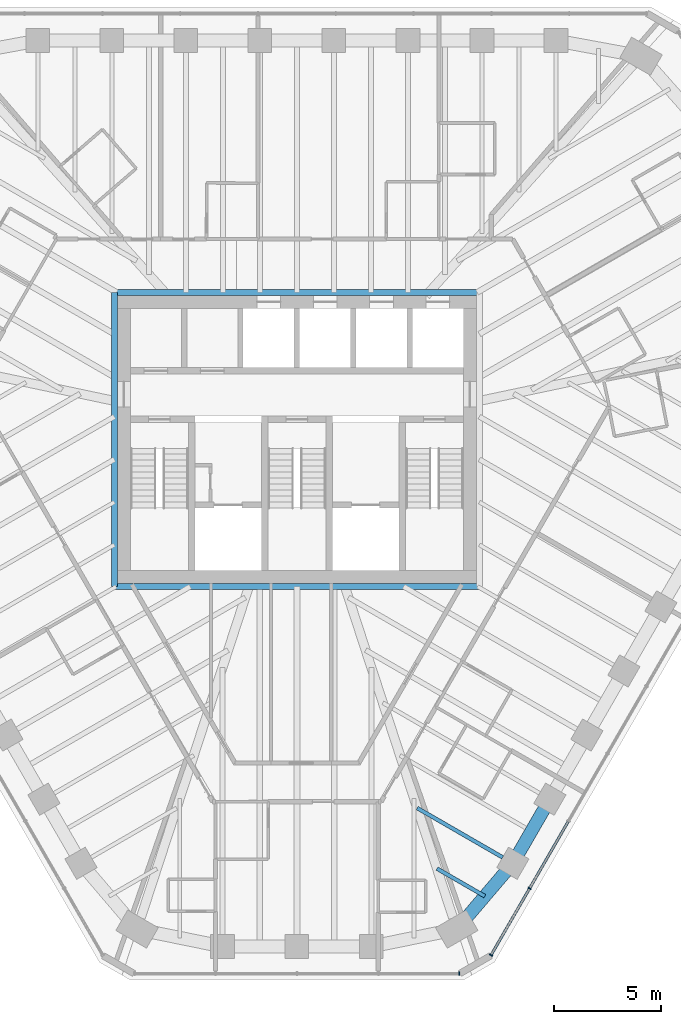
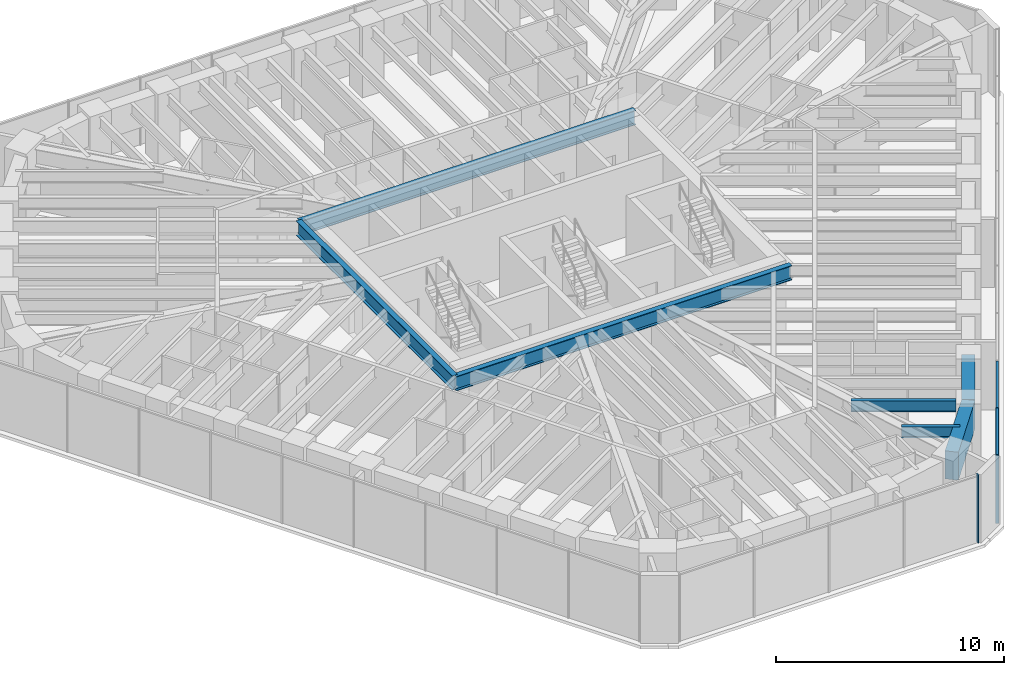
# One storey, part 4 of 14: 7 beams, 5 members, 2 elements without a shape of their own.
"""IFC4 building model written with IfcOpenShell, lengths in metres."""

import ifcopenshell
import ifcopenshell.guid

model = None  # the IFC model being written
_history = None  # IfcOwnerHistory: only IFC2X3 demands one
_inside = {}  # id of a spatial element -> (the spatial element, [elements in it])
_under = {}  # id of a project, library or spatial element -> (it, [spatial elements below it])
_declared = {}  # id of a project -> (the project, [libraries it declares])
_typed = {}  # id of a type object -> (the type object, [elements of that type])
_made_of = {}  # id of a material, layer set ... -> (it, [elements and type objects made of it])


def new_model(schema):
    """Start an empty IFC model of exactly this schema.

    Asked for "IFC4X3", IfcOpenShell would pick the latest addendum, in which some entities
    have other attributes; the version numbers below select the first issue.
    IFC2X3 requires an IfcOwnerHistory on every rooted entity: one is made here for all.
    """
    global model, _history
    if schema == "IFC4X3":
        model = ifcopenshell.file(schema_version=(4, 3, 0, 0))
    else:
        model = ifcopenshell.file(schema=schema)
    _inside.clear()
    _under.clear()
    _declared.clear()
    _typed.clear()
    _made_of.clear()
    _history = None
    if model.schema == "IFC2X3":
        org = make("IfcOrganization", Name="unknown")
        user = make(
            "IfcPersonAndOrganization",
            ThePerson=make("IfcPerson", FamilyName="unknown"),
            TheOrganization=org,
        )
        app = make(
            "IfcApplication",
            ApplicationDeveloper=org,
            Version="unknown",
            ApplicationFullName="unknown",
            ApplicationIdentifier="unknown",
        )
        _history = make(
            "IfcOwnerHistory",
            OwningUser=user,
            OwningApplication=app,
            ChangeAction="ADDED",
            CreationDate=0,
        )
    return model


def make(cls, **values):
    """One entity of the class cls with the attributes given. An attribute that is None is left unset."""
    return model.create_entity(
        cls, **{name: value for name, value in values.items() if value is not None}
    )


def rooted(cls, **values):
    """An entity with a GlobalId (a new one), such as an element, a storey or a relation."""
    return make(cls, GlobalId=ifcopenshell.guid.new(), OwnerHistory=_history, **values)


def si_unit(unit_type, name, prefix=None):
    """IfcSIUnit, for example si_unit("LENGTHUNIT", "METRE", prefix="MILLI")."""
    return make("IfcSIUnit", UnitType=unit_type, Prefix=prefix, Name=name)


def assignment(units):
    """IfcUnitAssignment: the units of a project."""
    return None if units is None else make("IfcUnitAssignment", Units=units)


def point(xyz):
    """IfcCartesianPoint."""
    return None if xyz is None else make("IfcCartesianPoint", Coordinates=xyz)


def direction(xyz):
    """IfcDirection."""
    return None if xyz is None else make("IfcDirection", DirectionRatios=xyz)


def frame(location, z_axis=None, x_axis=None):
    """IfcAxis2Placement3D, a coordinate frame: its origin and axes. An axis left out is left unset."""
    return make(
        "IfcAxis2Placement3D",
        Location=point(location),
        Axis=direction(z_axis),
        RefDirection=direction(x_axis),
    )


def frame_2d(location, x_axis=None):
    """IfcAxis2Placement2D, a coordinate frame in the plane: its origin and x axis."""
    return make(
        "IfcAxis2Placement2D", Location=point(location), RefDirection=direction(x_axis)
    )


def origin():
    """The frame at (0, 0, 0) with its axes left unset."""
    return frame((0.0, 0.0, 0.0))


def origin_2d():
    """The frame at (0, 0) in the plane with its x axis left unset."""
    return frame_2d((0.0, 0.0))


def place(relative_to, where):
    """IfcLocalPlacement: puts the frame where relative to a parent placement (None: the world)."""
    return make(
        "IfcLocalPlacement", PlacementRelTo=relative_to, RelativePlacement=where
    )


def context(
    kind, dimensions, precision=None, world=None, true_north=None, identifier=None
):
    """IfcGeometricRepresentationContext, for example the 3D "Model" context."""
    return make(
        "IfcGeometricRepresentationContext",
        ContextIdentifier=identifier,
        ContextType=kind,
        CoordinateSpaceDimension=dimensions,
        Precision=precision,
        WorldCoordinateSystem=world,
        TrueNorth=true_north,
    )


def subcontext(parent, identifier, kind, view, scale=None):
    """IfcGeometricRepresentationSubContext, for example "Body" below "Model"."""
    return make(
        "IfcGeometricRepresentationSubContext",
        ContextIdentifier=identifier,
        ContextType=kind,
        ParentContext=parent,
        TargetScale=scale,
        TargetView=view,
    )


def project(units=None, contexts=None):
    """IfcProject with its units and contexts."""
    return rooted(
        "IfcProject",
        Name="project",
        RepresentationContexts=contexts,
        UnitsInContext=assignment(units),
    )


def spatial(cls, under=None, at=None, **own):
    """A site, building, storey or space (cls), placed at a placement, below another one or the project."""
    s = rooted(cls, ObjectPlacement=at, **own)
    if under is not None:
        _under.setdefault(under.id(), (under, []))[1].append(s)
    return s


def profile(cls, at=None, kind="AREA", **sizes):
    """A parametric profile (cls). Its sizes go by their IFC names, for example OverallWidth=200.0."""
    return make(cls, ProfileType=kind, Position=at, **sizes)


def rectangle(**sizes):
    """IfcRectangleProfileDef."""
    return profile("IfcRectangleProfileDef", **sizes)


def i_section(**sizes):
    """IfcIShapeProfileDef."""
    return profile("IfcIShapeProfileDef", **sizes)


def extrude(swept, where, along, depth):
    """IfcExtrudedAreaSolid: the profile swept, set in the frame where, extruded along a direction by depth."""
    return make(
        "IfcExtrudedAreaSolid",
        SweptArea=swept,
        Position=where,
        ExtrudedDirection=direction(along),
        Depth=depth,
    )


def shape(context_of_items, identifier, shape_type, items):
    """IfcShapeRepresentation: the items that make up one representation, for example the "Body"."""
    return make(
        "IfcShapeRepresentation",
        ContextOfItems=context_of_items,
        RepresentationIdentifier=identifier,
        RepresentationType=shape_type,
        Items=items,
    )


def material(Name=None, Category=None):
    """IfcMaterial."""
    return make("IfcMaterial", Name=Name, Category=Category)


def material_profile(
    of_material, cross_section, Name=None, Category=None, Priority=None
):
    """IfcMaterialProfile: a cross section and its material."""
    return make(
        "IfcMaterialProfile",
        Name=Name,
        Material=of_material,
        Profile=cross_section,
        Priority=Priority,
        Category=Category,
    )


def profile_set(profiles, Name=None, composite=None):
    """IfcMaterialProfileSet."""
    return make(
        "IfcMaterialProfileSet",
        Name=Name,
        MaterialProfiles=profiles,
        CompositeProfile=composite,
    )


def made_of(thing, what):
    """Note that an element or type object is made of a material, layer set ...; save() writes the relation."""
    if what is not None:
        _made_of.setdefault(what.id(), (what, []))[1].append(thing)
    return thing


def type_object(cls, material=None, **own):
    """A type object (cls), such as IfcWallType, which elements share."""
    return made_of(rooted(cls, **own), material)


def element(
    cls,
    number,
    at=None,
    inside=None,
    cuts=None,
    type_object=None,
    material=None,
    context=None,
    identifier="Body",
    shape_type=None,
    held_by="IfcProductDefinitionShape",
    body=None,
    shapes=None,
    **own,
):
    """One element of the class cls, such as IfcWall. Its Tag is "e" and its number.

    at: its placement. inside: the storey or other place that contains it. cuts: it is an
    opening in that element (IfcRelVoidsElement). A single representation is given by context,
    identifier, shape_type and body (its items); several are given by shapes. held_by: the class
    of the entity that holds the representations. save() writes the other relations.
    """
    e = rooted(cls, Tag="e%d" % number, ObjectPlacement=at, **own)
    if body is not None:
        shapes = [shape(context, identifier, shape_type, body)]
    if shapes is not None:
        e.Representation = make(held_by, Representations=shapes)
    if inside is not None:
        _inside.setdefault(inside.id(), (inside, []))[1].append(e)
    if cuts is not None:
        rooted(
            "IfcRelVoidsElement", RelatingBuildingElement=cuts, RelatedOpeningElement=e
        )
    if type_object is not None:
        _typed.setdefault(type_object.id(), (type_object, []))[1].append(e)
    return made_of(e, material)


def aggregate(whole, parts):
    """IfcRelAggregates: a whole, such as a stair, and the parts it consists of."""
    return rooted("IfcRelAggregates", RelatingObject=whole, RelatedObjects=parts)


def save(model, path):
    """Write the relations noted so far, then the file.

    IfcRelAggregates (storeys below a building ...), IfcRelContainedInSpatialStructure (elements
    in a storey), IfcRelDefinesByType, IfcRelAssociatesMaterial and IfcRelDeclares: one each for
    every whole, place, type object, material and project.
    """
    for whole, parts in _under.values():
        aggregate(whole, parts)
    for where, things in _inside.values():
        rooted(
            "IfcRelContainedInSpatialStructure",
            RelatedElements=things,
            RelatingStructure=where,
        )
    for kind, things in _typed.values():
        rooted("IfcRelDefinesByType", RelatedObjects=things, RelatingType=kind)
    for what, things in _made_of.values():
        rooted("IfcRelAssociatesMaterial", RelatedObjects=things, RelatingMaterial=what)
    for by, libraries in _declared.values():
        rooted("IfcRelDeclares", RelatingContext=by, RelatedDefinitions=libraries)
    model.write(path)


model = new_model("IFC4")

# Units and contexts
model_context = context("Model", 3, precision=1e-05, world=origin(), true_north=direction((0.0, 1.0)))
body_context = subcontext(model_context, "Body", "Model", "MODEL_VIEW")
ifc_project = project(units=[si_unit("LENGTHUNIT", "METRE"), si_unit("AREAUNIT", "SQUARE_METRE"), si_unit("VOLUMEUNIT", "CUBIC_METRE"), si_unit("PLANEANGLEUNIT", "RADIAN"), si_unit("MASSUNIT", "GRAM", prefix="KILO")], contexts=[model_context])

# Site, building, storey
site_placement = place(None, origin())
site = spatial("IfcSite", under=ifc_project, at=site_placement, CompositionType="ELEMENT")
building_placement = place(site_placement, origin())
building = spatial("IfcBuilding", under=site, at=building_placement, Name="Sandreach Pilgrim Tower", CompositionType="ELEMENT")
storey_placement = place(building_placement, frame((0.0, 0.0, 264.60009765625)))
storey = spatial("IfcBuildingStorey", under=building, at=storey_placement, Name="L66", CompositionType="ELEMENT", Elevation=264.60009765625)

# Curtain wall, members
ifc_material_1 = material(Name="Aluminium framed curtain wall", Category="aluminium")
curtain_wall_type = type_object("IfcCurtainWallType", Name="Suite tower curtain wall", PredefinedType="NOTDEFINED", material=ifc_material_1)
curtain_wall_1_placement = place(storey_placement, origin())
curtain_wall_1 = element("IfcCurtainWall", 1, at=curtain_wall_1_placement, inside=storey, type_object=curtain_wall_type, Name="CW-4 L66 SE", PredefinedType="NOTDEFINED")
ifc_material_2 = material(Name="Aluminium extrusion", Category="aluminium")
ifc_material_profile_1 = material_profile(ifc_material_2, rectangle(XDim=0.06005859375, YDim=0.159912109375, at=origin_2d()), Name="CW-4M 60X160")
ifc_profile_set_1 = profile_set([ifc_material_profile_1], Name="Aluminium extrusion")
member_type_1 = type_object("IfcMemberType", Name="CW-4 mullion", PredefinedType="MULLION", material=ifc_profile_set_1)
member_1_placement = place(storey_placement, frame((10.83203125, -20.891357421875, 0.0), z_axis=(0.0, 0.0, 1.0), x_axis=(-0.5, -0.866025403784, 0.0)))
member_1 = element("IfcMember", 2, at=member_1_placement, type_object=member_type_1, Name="CW-4 mullion 9", PredefinedType="MULLION", context=body_context, shape_type="SweptSolid", body=[
    extrude(rectangle(XDim=0.06005859375, YDim=0.159912109375, at=origin_2d()), origin(), (0.0, 0.0, 1.0), 3.639892578125),
])
member_2_placement = place(storey_placement, frame((9.035888671875, -24.001953125, 0.0), z_axis=(0.0, 0.0, 1.0), x_axis=(-0.5, -0.866025403784, 0.0)))
member_2 = element("IfcMember", 3, at=member_2_placement, type_object=member_type_1, Name="CW-4 mullion 10", PredefinedType="MULLION", context=body_context, shape_type="SweptSolid", body=[
    extrude(rectangle(XDim=0.06005859375, YDim=0.159912109375, at=origin_2d()), origin(), (0.0, 0.0, 1.0), 3.639892578125),
])

# Curtain wall, member
curtain_wall_2_placement = place(storey_placement, origin())
curtain_wall_2 = element("IfcCurtainWall", 4, at=curtain_wall_2_placement, inside=storey, type_object=curtain_wall_type, Name="CW-4 L66 S", PredefinedType="NOTDEFINED")
member_3_placement = place(storey_placement, frame((7.553466796875, -24.858154296875, 0.0), z_axis=(0.0, 0.0, 1.0), x_axis=(-1.0, 0.0, 0.0)))
member_3 = element("IfcMember", 5, at=member_3_placement, type_object=member_type_1, Name="CW-4 mullion 1", PredefinedType="MULLION", context=body_context, shape_type="SweptSolid", body=[
    extrude(rectangle(XDim=0.06005859375, YDim=0.159912109375, at=origin_2d()), origin(), (0.0, 0.0, 1.0), 3.639892578125),
])
aggregate(curtain_wall_2, [member_3])

# Member
ifc_material_3 = material(Name="Aluminium extrusion", Category="aluminium")
ifc_material_profile_2 = material_profile(ifc_material_3, rectangle(XDim=0.1201171875, YDim=0.070068359375, at=origin_2d()), Name="CW-4T 120X70")
ifc_profile_set_2 = profile_set([ifc_material_profile_2], Name="Aluminium extrusion")
member_type_2 = type_object("IfcMemberType", Name="CW-4 transom", PredefinedType="USERDEFINED", material=ifc_profile_set_2)
member_4_placement = place(storey_placement, frame((12.6279296875, -17.78076171875, 3.60498046875), z_axis=(-0.500009219579, -0.866020080793, 0.0), x_axis=(0.866020080793, -0.500009219579, 0.0)))
member_4 = element("IfcMember", 6, at=member_4_placement, type_object=member_type_2, Name="CW-4 head transom 8", ObjectType="TRANSOM", PredefinedType="USERDEFINED", context=body_context, shape_type="SweptSolid", body=[
    extrude(rectangle(XDim=0.1201171875, YDim=0.070068359375, at=origin_2d()), origin(), (0.0, 0.0, 1.0), 3.56201171875),
])

member_5_placement = place(storey_placement, frame((10.81689453125, -20.91748046875, 3.60498046875), z_axis=(-0.499997709859, -0.866026725994, 0.0), x_axis=(0.866026725994, -0.499997709859, 0.0)))
member_5 = element("IfcMember", 7, at=member_5_placement, type_object=member_type_2, Name="CW-4 head transom 9", ObjectType="TRANSOM", PredefinedType="USERDEFINED", context=body_context, shape_type="SweptSolid", body=[
    extrude(rectangle(XDim=0.1201171875, YDim=0.070068359375, at=origin_2d()), origin(), (0.0, 0.0, 1.0), 3.53173828125),
])

aggregate(curtain_wall_1, [member_1, member_2, member_4, member_5])

# Beams
ifc_material_4 = material(Name="Steel ASTM A992 Grade 50", Category="steel")
ifc_material_profile_3 = material_profile(ifc_material_4, i_section(OverallWidth=0.2666015625, OverallDepth=0.77978515625, WebThickness=0.0166015625, FlangeThickness=0.030029296875, at=origin_2d()), Name="W30X148")
ifc_profile_set_3 = profile_set([ifc_material_profile_3], Name="Steel ASTM A992 Grade 50")
beam_type_1 = type_object("IfcBeamType", Name="Core edge beam W30X148", PredefinedType="BEAM", material=ifc_profile_set_3)
for number, where, z_axis, x_axis, name in (
    (8, (-8.493408203125, 6.84326171875, 3.25), (1.0, 0.0, 0.0), (0.0, 1.0, 0.0), "BM L66 CEN"),
    (9, (8.493408203125, -6.84326171875, 3.25), (-1.0, 0.0, 0.0), (0.0, -1.0, 0.0), "BM L66 CES"),
):
    element("IfcBeam", number, at=place(storey_placement, frame(where, z_axis=z_axis, x_axis=x_axis)), inside=storey, type_object=beam_type_1, Name=name, PredefinedType="BEAM", context=body_context, shape_type="SweptSolid", body=[
        extrude(i_section(OverallWidth=0.2666015625, OverallDepth=0.77978515625, WebThickness=0.0166015625, FlangeThickness=0.030029296875, at=origin_2d()), origin(), (0.0, 0.0, 1.0), 16.98681640625),
    ])
beam_1_placement = place(storey_placement, frame((-8.493408203125, -6.84326171875, 3.25), z_axis=(0.0, 1.0, 0.0), x_axis=(-1.0, 0.0, 0.0)))
element("IfcBeam", 10, at=beam_1_placement, inside=storey, type_object=beam_type_1, Name="BM L66 CEW", PredefinedType="BEAM", context=body_context, shape_type="SweptSolid", body=[
    extrude(i_section(OverallWidth=0.2666015625, OverallDepth=0.77978515625, WebThickness=0.0166015625, FlangeThickness=0.030029296875, at=origin_2d()), origin(), (0.0, 0.0, 1.0), 13.6865234375),
])
ifc_material_5 = material(Name="Steel ASTM A992 Grade 50", Category="steel")
ifc_material_profile_4 = material_profile(ifc_material_5, i_section(OverallWidth=0.1787109375, OverallDepth=0.60205078125, WebThickness=0.010986328125, FlangeThickness=0.014892578125, at=origin_2d()), Name="W24X62")
ifc_profile_set_4 = profile_set([ifc_material_profile_4], Name="Steel ASTM A992 Grade 50")
beam_type_2 = type_object("IfcBeamType", Name="Floor beam W24X62", PredefinedType="BEAM", material=ifc_profile_set_4)
beam_2_placement = place(storey_placement, frame((9.573974609375, -19.450439453125, 3.3388671875), z_axis=(-0.866024320471, 0.50000187635, 0.0), x_axis=(-0.50000187635, -0.866024320471, 0.0)))
element("IfcBeam", 11, at=beam_2_placement, inside=storey, type_object=beam_type_2, Name="BM L66 F21", PredefinedType="BEAM", context=body_context, shape_type="SweptSolid", body=[
    extrude(i_section(OverallWidth=0.1787109375, OverallDepth=0.60205078125, WebThickness=0.010986328125, FlangeThickness=0.014892578125, at=origin_2d()), origin(), (0.0, 0.0, 1.0), 4.58837890625),
])
beam_3_placement = place(storey_placement, frame((8.74462890625, -21.25732421875, 3.3388671875), z_axis=(-0.866041575714, 0.49997198835, 0.0), x_axis=(-0.49997198835, -0.866041575714, 0.0)))
element("IfcBeam", 12, at=beam_3_placement, inside=storey, type_object=beam_type_2, Name="BM L66 FM21", PredefinedType="BEAM", context=body_context, shape_type="SweptSolid", body=[
    extrude(i_section(OverallWidth=0.1787109375, OverallDepth=0.60205078125, WebThickness=0.010986328125, FlangeThickness=0.014892578125, at=origin_2d()), origin(), (0.0, 0.0, 1.0), 2.569091796875),
])
ifc_material_6 = material(Name="Concrete 10000 psi", Category="concrete")
ifc_material_profile_5 = material_profile(ifc_material_6, rectangle(XDim=0.60009765625, YDim=1.5, at=origin_2d()), Name="RC600X1500")
ifc_profile_set_5 = profile_set([ifc_material_profile_5], Name="Concrete 10000 psi")
beam_type_3 = type_object("IfcBeamType", Name="Spandrel beam RC600X1500", PredefinedType="SPANDREL", material=ifc_profile_set_5)
beam_4_placement = place(storey_placement, frame((11.772705078125, -16.741943359375, 2.889892578125), z_axis=(-0.499988291006, -0.866032163869, 0.0), x_axis=(0.866032163869, -0.499988291006, 0.0)))
element("IfcBeam", 13, at=beam_4_placement, inside=storey, type_object=beam_type_3, Name="BM L66 SP20", PredefinedType="SPANDREL", context=body_context, shape_type="SweptSolid", body=[
    extrude(rectangle(XDim=0.60009765625, YDim=1.5, at=origin_2d()), origin(), (0.0, 0.0, 1.0), 3.44482421875),
])
beam_5_placement = place(storey_placement, frame((10.05029296875, -19.725341796875, 2.889892578125), z_axis=(-0.648586192707, -0.761141215958, 0.0), x_axis=(0.761141215958, -0.648586192707, 0.0)))
element("IfcBeam", 14, at=beam_5_placement, inside=storey, type_object=beam_type_3, Name="BM L66 SP21", PredefinedType="SPANDREL", context=body_context, shape_type="SweptSolid", body=[
    extrude(rectangle(XDim=0.60009765625, YDim=1.5, at=origin_2d()), origin(), (0.0, 0.0, 1.0), 4.02587890625),
])

save(model, "model.ifc")
